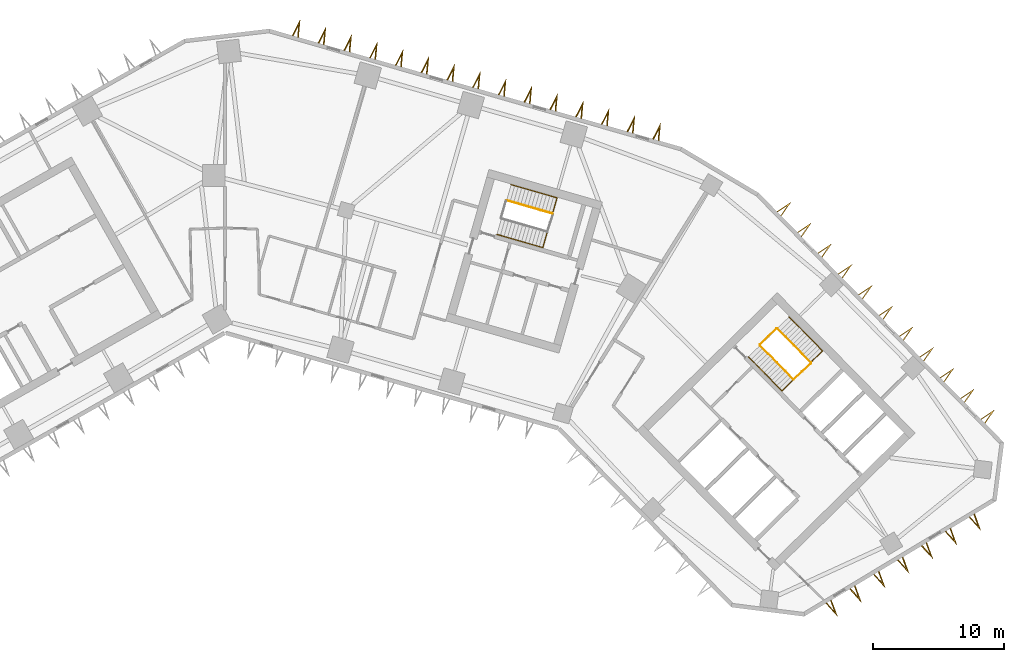
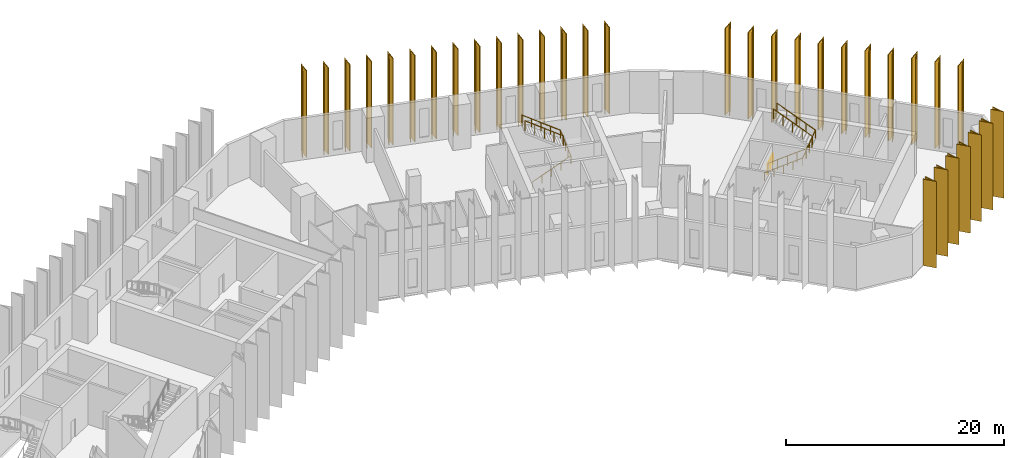
# One storey, part 11 of 11: 33 shading devices, 6 railings.
"""IFC4 building model written with IfcOpenShell, lengths in metres."""

from ifc_helpers import new_model, si_unit, direction, frame, origin, origin_2d, place, context, subcontext, project, spatial, polyline, circle, outline, extrude, material, type_object, element, save


model = new_model("IFC4")

# Units and contexts
model_context = context("Model", 3, precision=1e-05, world=origin(), true_north=direction((0.0, 1.0)))
body_context = subcontext(model_context, "Body", "Model", "MODEL_VIEW")
ifc_project = project(units=[si_unit("LENGTHUNIT", "METRE"), si_unit("AREAUNIT", "SQUARE_METRE"), si_unit("VOLUMEUNIT", "CUBIC_METRE"), si_unit("PLANEANGLEUNIT", "RADIAN"), si_unit("MASSUNIT", "GRAM", prefix="KILO")], contexts=[model_context])

# Site, building, storey
site_placement = place(None, origin())
site = spatial("IfcSite", under=ifc_project, at=site_placement, CompositionType="ELEMENT")
building_placement = place(site_placement, origin())
building = spatial("IfcBuilding", under=site, at=building_placement, Name="Binnacle Exchange Tower", CompositionType="ELEMENT")
storey_placement = place(building_placement, frame((0.0, 0.0, 46.5)))
storey = spatial("IfcBuildingStorey", under=building, at=storey_placement, Name="L09", CompositionType="ELEMENT", Elevation=46.5)

# Railings
ifc_material_1 = material(Name="Steel guard rail", Category="steel")
railing_type_1 = type_object("IfcRailingType", Name="STAIR GUARD 1100", PredefinedType="GUARDRAIL", material=ifc_material_1)
railing_1_placement = place(storey_placement, frame((40.822509765625, 47.046875, 0.178466796875)))
element("IfcRailing", 1, at=railing_1_placement, inside=storey, type_object=railing_type_1, Name="L09 STB1 stair guard 1", PredefinedType="GUARDRAIL", context=body_context, shape_type="SweptSolid", body=[
    extrude(circle(Radius=0.02392578125, at=origin_2d()), frame((0.0, 0.0, 1.076171875), z_axis=(0.590946962671, -0.60135215321, 0.537733461056), x_axis=(0.713250539553, 0.700909172309, 0.0)), (0.0, 0.0, 1.0), 4.317138671875),
    extrude(circle(Radius=0.02392578125, at=origin_2d()), frame((2.55126953125, -2.59619140625, 3.3974609375), z_axis=(0.732527851538, 0.680737061369, 0.0), x_axis=(-0.680737061369, 0.732527851538, 0.0)), (0.0, 0.0, 1.0), 1.80078125),
    extrude(circle(Radius=0.02099609375, at=origin_2d()), origin(), (0.0, 0.0, 1.0), 1.052001953125),
    extrude(circle(Radius=0.02099609375, at=origin_2d()), frame((0.6376953125, -0.64892578125, 0.580322265625)), (0.0, 0.0, 1.0), 1.052001953125),
    extrude(circle(Radius=0.02099609375, at=origin_2d()), frame((1.275634765625, -1.298095703125, 1.16064453125)), (0.0, 0.0, 1.0), 1.052001953125),
    extrude(circle(Radius=0.02099609375, at=origin_2d()), frame((1.91357421875, -1.947265625, 1.7412109375)), (0.0, 0.0, 1.0), 1.052001953125),
    extrude(circle(Radius=0.02099609375, at=origin_2d()), frame((2.55126953125, -2.59619140625, 2.321533203125)), (0.0, 0.0, 1.0), 1.052001953125),
    extrude(circle(Radius=0.02099609375, at=origin_2d()), frame((3.2109375, -1.9833984375, 2.321533203125)), (0.0, 0.0, 1.0), 1.052001953125),
    extrude(circle(Radius=0.02099609375, at=origin_2d()), frame((3.870361328125, -1.370361328125, 2.321533203125)), (0.0, 0.0, 1.0), 1.052001953125),
])
railing_2_placement = place(storey_placement, frame((44.693359375, 45.747314453125, 2.678466796875)))
element("IfcRailing", 2, at=railing_2_placement, inside=storey, type_object=railing_type_1, Name="L09 STB1 stair guard 2", PredefinedType="GUARDRAIL", context=body_context, shape_type="SweptSolid", body=[
    extrude(circle(Radius=0.02392578125, at=origin_2d()), frame((0.0, 0.0, 1.076171875), z_axis=(-0.590946962671, 0.60135215321, 0.537733461056), x_axis=(-0.713250539553, -0.700909172309, 0.0)), (0.0, 0.0, 1.0), 4.317138671875),
    extrude(circle(Radius=0.02099609375, at=origin_2d()), origin(), (0.0, 0.0, 1.0), 1.052001953125),
    extrude(circle(Radius=0.02099609375, at=origin_2d()), frame((-0.6376953125, 0.64892578125, 0.580322265625)), (0.0, 0.0, 1.0), 1.052001953125),
    extrude(circle(Radius=0.02099609375, at=origin_2d()), frame((-1.275634765625, 1.298095703125, 1.16064453125)), (0.0, 0.0, 1.0), 1.052001953125),
    extrude(circle(Radius=0.02099609375, at=origin_2d()), frame((-1.91357421875, 1.947265625, 1.7412109375)), (0.0, 0.0, 1.0), 1.052001953125),
    extrude(circle(Radius=0.02099609375, at=origin_2d()), frame((-2.55126953125, 2.59619140625, 2.321533203125)), (0.0, 0.0, 1.0), 1.052001953125),
])
railing_3_placement = place(storey_placement, frame((40.8232421875, 47.117431640625, 0.0)))
element("IfcRailing", 3, at=railing_3_placement, inside=storey, type_object=railing_type_1, Name="L09 STB1 stair guard 3", PredefinedType="GUARDRAIL", context=body_context, shape_type="SweptSolid", body=[
    extrude(circle(Radius=0.02392578125, at=origin_2d()), frame((0.0, 0.0, 1.076171875), z_axis=(0.713218950569, 0.700941316052, 0.0), x_axis=(-0.700941316052, 0.713218950569, 0.0)), (0.0, 0.0, 1.0), 1.75),
    extrude(circle(Radius=0.02099609375, at=origin_2d()), origin(), (0.0, 0.0, 1.0), 1.052001953125),
    extrude(circle(Radius=0.02099609375, at=origin_2d()), frame((0.6240234375, 0.61328125, 0.0)), (0.0, 0.0, 1.0), 1.052001953125),
    extrude(circle(Radius=0.02099609375, at=origin_2d()), frame((1.248046875, 1.2265625, 0.0)), (0.0, 0.0, 1.0), 1.052001953125),
])
railing_4_placement = place(storey_placement, frame((24.9853515625, 57.100830078125, 2.678466796875)))
element("IfcRailing", 4, at=railing_4_placement, inside=storey, type_object=railing_type_1, Name="L09 STD1 stair guard 2", PredefinedType="GUARDRAIL", context=body_context, shape_type="SweptSolid", body=[
    extrude(circle(Radius=0.02392578125, at=origin_2d()), frame((0.0, 0.0, 1.076171875), z_axis=(-0.810455892038, 0.232415135102, 0.537721537635), x_axis=(-0.275659984683, -0.961255206927, 0.0)), (0.0, 0.0, 1.0), 4.3173828125),
    extrude(circle(Radius=0.02099609375, at=origin_2d()), origin(), (0.0, 0.0, 1.0), 1.052001953125),
    extrude(circle(Radius=0.02099609375, at=origin_2d()), frame((-0.874755859375, 0.2509765625, 0.580322265625)), (0.0, 0.0, 1.0), 1.052001953125),
    extrude(circle(Radius=0.02099609375, at=origin_2d()), frame((-1.74951171875, 0.501708984375, 1.16064453125)), (0.0, 0.0, 1.0), 1.052001953125),
    extrude(circle(Radius=0.02099609375, at=origin_2d()), frame((-2.624267578125, 0.75244140625, 1.7412109375)), (0.0, 0.0, 1.0), 1.052001953125),
    extrude(circle(Radius=0.02099609375, at=origin_2d()), frame((-3.4990234375, 1.00341796875, 2.321533203125)), (0.0, 0.0, 1.0), 1.052001953125),
])
ifc_material_2 = material(Name="Steel handrail", Category="steel")
railing_type_2 = type_object("IfcRailingType", Name="STAIR HANDRAIL 900", PredefinedType="HANDRAIL", material=ifc_material_2)
railing_5_placement = place(storey_placement, frame((39.930908203125, 46.170654296875, 0.178466796875)))
element("IfcRailing", 5, at=railing_5_placement, inside=storey, type_object=railing_type_2, Name="L09 STB1 stair handrail 1", PredefinedType="HANDRAIL", context=body_context, shape_type="SweptSolid", body=[
    extrude(circle(Radius=0.02392578125, at=origin_2d()), frame((0.0, 0.0, 0.8759765625), z_axis=(0.590983762497, -0.601332057257, 0.53771549111), x_axis=(0.713217009097, 0.700943291525, 0.0)), (0.0, 0.0, 1.0), 4.3173828125),
    extrude(circle(Radius=0.02392578125, at=origin_2d()), frame((2.551513671875, -2.59619140625, 3.197265625), z_axis=(0.712654164256, 0.700316745611, 0.040993877406), x_axis=(-0.700905928746, 0.713253726978, 0.0)), (0.0, 0.0, 1.0), 4.353515625),
    extrude(circle(Radius=0.02392578125, at=origin_2d()), frame((5.654052734375, 0.45263671875, 3.3759765625), z_axis=(-0.590926866753, 0.601388251475, 0.537715174732), x_axis=(-0.713283488215, -0.700875641922, 0.0)), (0.0, 0.0, 1.0), 4.3173828125),
    extrude(circle(Radius=0.02099609375, at=origin_2d()), origin(), (0.0, 0.0, 1.0), 0.851806640625),
    extrude(circle(Radius=0.02099609375, at=origin_2d()), frame((0.637939453125, -0.64892578125, 0.580322265625)), (0.0, 0.0, 1.0), 0.851806640625),
    extrude(circle(Radius=0.02099609375, at=origin_2d()), frame((1.27587890625, -1.298095703125, 1.16064453125)), (0.0, 0.0, 1.0), 0.851806640625),
    extrude(circle(Radius=0.02099609375, at=origin_2d()), frame((1.91357421875, -1.947265625, 1.7412109375)), (0.0, 0.0, 1.0), 0.851806640625),
    extrude(circle(Radius=0.02099609375, at=origin_2d()), frame((2.551513671875, -2.59619140625, 2.321533203125)), (0.0, 0.0, 1.0), 0.851806640625),
    extrude(circle(Radius=0.02099609375, at=origin_2d()), frame((3.3271484375, -1.833984375, 2.3662109375)), (0.0, 0.0, 1.0), 0.851806640625),
    extrude(circle(Radius=0.02099609375, at=origin_2d()), frame((4.102783203125, -1.07177734375, 2.41064453125)), (0.0, 0.0, 1.0), 0.851806640625),
    extrude(circle(Radius=0.02099609375, at=origin_2d()), frame((4.87841796875, -0.3095703125, 2.455322265625)), (0.0, 0.0, 1.0), 0.851806640625),
    extrude(circle(Radius=0.02099609375, at=origin_2d()), frame((5.654052734375, 0.45263671875, 2.5)), (0.0, 0.0, 1.0), 0.851806640625),
    extrude(circle(Radius=0.02099609375, at=origin_2d()), frame((5.01611328125, 1.101806640625, 3.080322265625)), (0.0, 0.0, 1.0), 0.851806640625),
    extrude(circle(Radius=0.02099609375, at=origin_2d()), frame((4.37841796875, 1.7509765625, 3.66064453125)), (0.0, 0.0, 1.0), 0.851806640625),
    extrude(circle(Radius=0.02099609375, at=origin_2d()), frame((3.74072265625, 2.39990234375, 4.2412109375)), (0.0, 0.0, 1.0), 0.851806640625),
    extrude(circle(Radius=0.02099609375, at=origin_2d()), frame((3.102783203125, 3.049072265625, 4.821533203125)), (0.0, 0.0, 1.0), 0.851806640625),
])
railing_6_placement = place(storey_placement, frame((20.7421875, 55.5087890625, 0.178466796875)))
element("IfcRailing", 6, at=railing_6_placement, inside=storey, type_object=railing_type_2, Name="L09 STD1 stair handrail 1", PredefinedType="HANDRAIL", context=body_context, shape_type="SweptSolid", body=[
    extrude(circle(Radius=0.02392578125, at=origin_2d()), frame((0.0, 0.0, 0.8759765625), z_axis=(0.810436485383, -0.2324257871, 0.537746182368), x_axis=(0.27567775811, 0.961250109848, 0.0)), (0.0, 0.0, 1.0), 4.317138671875),
    extrude(circle(Radius=0.02392578125, at=origin_2d()), frame((3.498779296875, -1.00341796875, 3.197265625), z_axis=(0.275370676617, 0.960278056821, 0.045133624351), x_axis=(-0.961257617982, 0.275651576943, 0.0)), (0.0, 0.0, 1.0), 3.9541015625),
    extrude(circle(Radius=0.02392578125, at=origin_2d()), frame((4.587646484375, 2.793701171875, 3.3759765625), z_axis=(-0.810466542589, 0.232361639932, 0.537728604067), x_axis=(-0.275598008994, -0.961272977587, 0.0)), (0.0, 0.0, 1.0), 4.3173828125),
    extrude(circle(Radius=0.02099609375, at=origin_2d()), origin(), (0.0, 0.0, 1.0), 0.851806640625),
    extrude(circle(Radius=0.02099609375, at=origin_2d()), frame((0.874755859375, -0.2509765625, 0.580322265625)), (0.0, 0.0, 1.0), 0.851806640625),
    extrude(circle(Radius=0.02099609375, at=origin_2d()), frame((1.74951171875, -0.501708984375, 1.16064453125)), (0.0, 0.0, 1.0), 0.851806640625),
    extrude(circle(Radius=0.02099609375, at=origin_2d()), frame((2.6240234375, -0.75244140625, 1.7412109375)), (0.0, 0.0, 1.0), 0.851806640625),
    extrude(circle(Radius=0.02099609375, at=origin_2d()), frame((3.498779296875, -1.00341796875, 2.321533203125)), (0.0, 0.0, 1.0), 0.851806640625),
    extrude(circle(Radius=0.02099609375, at=origin_2d()), frame((3.77099609375, -0.05419921875, 2.3662109375)), (0.0, 0.0, 1.0), 0.851806640625),
    extrude(circle(Radius=0.02099609375, at=origin_2d()), frame((4.043212890625, 0.89501953125, 2.41064453125)), (0.0, 0.0, 1.0), 0.851806640625),
    extrude(circle(Radius=0.02099609375, at=origin_2d()), frame((4.3154296875, 1.844482421875, 2.455322265625)), (0.0, 0.0, 1.0), 0.851806640625),
    extrude(circle(Radius=0.02099609375, at=origin_2d()), frame((4.587646484375, 2.793701171875, 2.5)), (0.0, 0.0, 1.0), 0.851806640625),
    extrude(circle(Radius=0.02099609375, at=origin_2d()), frame((3.712890625, 3.04443359375, 3.080322265625)), (0.0, 0.0, 1.0), 0.851806640625),
    extrude(circle(Radius=0.02099609375, at=origin_2d()), frame((2.838134765625, 3.29541015625, 3.66064453125)), (0.0, 0.0, 1.0), 0.851806640625),
    extrude(circle(Radius=0.02099609375, at=origin_2d()), frame((1.96337890625, 3.546142578125, 4.2412109375)), (0.0, 0.0, 1.0), 0.851806640625),
    extrude(circle(Radius=0.02099609375, at=origin_2d()), frame((1.088623046875, 3.796875, 4.821533203125)), (0.0, 0.0, 1.0), 0.851806640625),
])

# Shading devices
ifc_material_3 = material(Name="Bronze aluminium cladding", Category="aluminium")
shading_device_type = type_object("IfcShadingDeviceType", Name="V FIN 1300 DEEP x 9680 HIGH", PredefinedType="USERDEFINED", material=ifc_material_3)
shading_device_1_placement = place(storey_placement, origin())
element("IfcShadingDevice", 7, at=shading_device_1_placement, inside=storey, type_object=shading_device_type, Name="V fin FN-F01-01 L09", ObjectType="FIN", PredefinedType="USERDEFINED", context=body_context, shape_type="SweptSolid", body=[
    extrude(outline(polyline([(33.107421875, 62.66259765625), (33.225341796875, 63.981201171875), (32.626708984375, 62.800537109375), (32.705078125, 62.778076171875), (33.108642578125, 63.573974609375), (33.029052734375, 62.68505859375), (33.107421875, 62.66259765625)])), origin(), (0.0, 0.0, 1.0), 9.679931640625),
])
shading_device_2_placement = place(storey_placement, origin())
element("IfcShadingDevice", 8, at=shading_device_2_placement, inside=storey, type_object=shading_device_type, Name="V fin FN-F01-02 L09", ObjectType="FIN", PredefinedType="USERDEFINED", context=body_context, shape_type="SweptSolid", body=[
    extrude(outline(polyline([(31.143310546875, 63.225830078125), (31.26123046875, 64.54443359375), (30.66259765625, 63.36376953125), (30.740966796875, 63.34130859375), (31.14453125, 64.13720703125), (31.06494140625, 63.248291015625), (31.143310546875, 63.225830078125)])), origin(), (0.0, 0.0, 1.0), 9.679931640625),
])
shading_device_3_placement = place(storey_placement, origin())
element("IfcShadingDevice", 9, at=shading_device_3_placement, inside=storey, type_object=shading_device_type, Name="V fin FN-F01-03 L09", ObjectType="FIN", PredefinedType="USERDEFINED", context=body_context, shape_type="SweptSolid", body=[
    extrude(outline(polyline([(29.17919921875, 63.7890625), (29.297119140625, 65.107666015625), (28.698486328125, 63.927001953125), (28.77685546875, 63.904541015625), (29.180419921875, 64.700439453125), (29.100830078125, 63.8115234375), (29.17919921875, 63.7890625)])), origin(), (0.0, 0.0, 1.0), 9.679931640625),
])
shading_device_4_placement = place(storey_placement, origin())
element("IfcShadingDevice", 10, at=shading_device_4_placement, inside=storey, type_object=shading_device_type, Name="V fin FN-F01-04 L09", ObjectType="FIN", PredefinedType="USERDEFINED", context=body_context, shape_type="SweptSolid", body=[
    extrude(outline(polyline([(27.215087890625, 64.352294921875), (27.3330078125, 65.6708984375), (26.734619140625, 64.489990234375), (26.812744140625, 64.4677734375), (27.21630859375, 65.263671875), (27.13671875, 64.374755859375), (27.215087890625, 64.352294921875)])), origin(), (0.0, 0.0, 1.0), 9.679931640625),
])
shading_device_5_placement = place(storey_placement, origin())
element("IfcShadingDevice", 11, at=shading_device_5_placement, inside=storey, type_object=shading_device_type, Name="V fin FN-F01-05 L09", ObjectType="FIN", PredefinedType="USERDEFINED", context=body_context, shape_type="SweptSolid", body=[
    extrude(outline(polyline([(25.2509765625, 64.91552734375), (25.368896484375, 66.23388671875), (24.7705078125, 65.05322265625), (24.8486328125, 65.031005859375), (25.252197265625, 65.826904296875), (25.172607421875, 64.93798828125), (25.2509765625, 64.91552734375)])), origin(), (0.0, 0.0, 1.0), 9.679931640625),
])
shading_device_6_placement = place(storey_placement, origin())
element("IfcShadingDevice", 12, at=shading_device_6_placement, inside=storey, type_object=shading_device_type, Name="V fin FN-F01-06 L09", ObjectType="FIN", PredefinedType="USERDEFINED", context=body_context, shape_type="SweptSolid", body=[
    extrude(outline(polyline([(23.287109375, 65.478515625), (23.405029296875, 66.797119140625), (22.806396484375, 65.616455078125), (22.884765625, 65.593994140625), (23.288330078125, 66.389892578125), (23.208740234375, 65.5009765625), (23.287109375, 65.478515625)])), origin(), (0.0, 0.0, 1.0), 9.679931640625),
])
shading_device_7_placement = place(storey_placement, origin())
element("IfcShadingDevice", 13, at=shading_device_7_placement, inside=storey, type_object=shading_device_type, Name="V fin FN-F01-07 L09", ObjectType="FIN", PredefinedType="USERDEFINED", context=body_context, shape_type="SweptSolid", body=[
    extrude(outline(polyline([(21.32275390625, 66.041748046875), (21.44091796875, 67.3603515625), (20.84228515625, 66.1796875), (20.92041015625, 66.1572265625), (21.32421875, 66.953125), (21.244384765625, 66.064208984375), (21.32275390625, 66.041748046875)])), origin(), (0.0, 0.0, 1.0), 9.679931640625),
])
shading_device_8_placement = place(storey_placement, origin())
element("IfcShadingDevice", 14, at=shading_device_8_placement, inside=storey, type_object=shading_device_type, Name="V fin FN-F01-08 L09", ObjectType="FIN", PredefinedType="USERDEFINED", context=body_context, shape_type="SweptSolid", body=[
    extrude(outline(polyline([(19.35888671875, 66.60498046875), (19.476806640625, 67.923583984375), (18.878173828125, 66.742919921875), (18.95654296875, 66.720458984375), (19.360107421875, 67.516357421875), (19.280517578125, 66.62744140625), (19.35888671875, 66.60498046875)])), origin(), (0.0, 0.0, 1.0), 9.679931640625),
])
shading_device_9_placement = place(storey_placement, origin())
element("IfcShadingDevice", 15, at=shading_device_9_placement, inside=storey, type_object=shading_device_type, Name="V fin FN-F01-09 L09", ObjectType="FIN", PredefinedType="USERDEFINED", context=body_context, shape_type="SweptSolid", body=[
    extrude(outline(polyline([(17.394775390625, 67.168212890625), (17.5126953125, 68.48681640625), (16.9140625, 67.305908203125), (16.992431640625, 67.28369140625), (17.39599609375, 68.07958984375), (17.31640625, 67.190673828125), (17.394775390625, 67.168212890625)])), origin(), (0.0, 0.0, 1.0), 9.679931640625),
])
shading_device_10_placement = place(storey_placement, origin())
element("IfcShadingDevice", 16, at=shading_device_10_placement, inside=storey, type_object=shading_device_type, Name="V fin FN-F01-10 L09", ObjectType="FIN", PredefinedType="USERDEFINED", context=body_context, shape_type="SweptSolid", body=[
    extrude(outline(polyline([(15.4306640625, 67.7314453125), (15.548583984375, 69.0498046875), (14.949951171875, 67.869140625), (15.0283203125, 67.8466796875), (15.431884765625, 68.642578125), (15.352294921875, 67.75390625), (15.4306640625, 67.7314453125)])), origin(), (0.0, 0.0, 1.0), 9.679931640625),
])
shading_device_11_placement = place(storey_placement, origin())
element("IfcShadingDevice", 17, at=shading_device_11_placement, inside=storey, type_object=shading_device_type, Name="V fin FN-F01-11 L09", ObjectType="FIN", PredefinedType="USERDEFINED", context=body_context, shape_type="SweptSolid", body=[
    extrude(outline(polyline([(13.466552734375, 68.294677734375), (13.58447265625, 69.613037109375), (12.98583984375, 68.432373046875), (13.064208984375, 68.409912109375), (13.4677734375, 69.205810546875), (13.38818359375, 68.31689453125), (13.466552734375, 68.294677734375)])), origin(), (0.0, 0.0, 1.0), 9.679931640625),
])
shading_device_12_placement = place(storey_placement, origin())
element("IfcShadingDevice", 18, at=shading_device_12_placement, inside=storey, type_object=shading_device_type, Name="V fin FN-F01-12 L09", ObjectType="FIN", PredefinedType="USERDEFINED", context=body_context, shape_type="SweptSolid", body=[
    extrude(outline(polyline([(11.50244140625, 68.85791015625), (11.620361328125, 70.17626953125), (11.021728515625, 68.99560546875), (11.10009765625, 68.97314453125), (11.503662109375, 69.76904296875), (11.424072265625, 68.880126953125), (11.50244140625, 68.85791015625)])), origin(), (0.0, 0.0, 1.0), 9.679931640625),
])
shading_device_13_placement = place(storey_placement, origin())
element("IfcShadingDevice", 19, at=shading_device_13_placement, inside=storey, type_object=shading_device_type, Name="V fin FN-F01-13 L09", ObjectType="FIN", PredefinedType="USERDEFINED", context=body_context, shape_type="SweptSolid", body=[
    extrude(outline(polyline([(9.538330078125, 69.4208984375), (9.65625, 70.739501953125), (9.0576171875, 69.558837890625), (9.135986328125, 69.536376953125), (9.53955078125, 70.332275390625), (9.4599609375, 69.443359375), (9.538330078125, 69.4208984375)])), origin(), (0.0, 0.0, 1.0), 9.679931640625),
])
shading_device_14_placement = place(storey_placement, origin())
element("IfcShadingDevice", 20, at=shading_device_14_placement, inside=storey, type_object=shading_device_type, Name="V fin FN-F01-14 L09", ObjectType="FIN", PredefinedType="USERDEFINED", context=body_context, shape_type="SweptSolid", body=[
    extrude(outline(polyline([(7.57421875, 69.984130859375), (7.6923828125, 71.302734375), (7.09375, 70.1220703125), (7.172119140625, 70.099609375), (7.57568359375, 70.8955078125), (7.49609375, 70.006591796875), (7.57421875, 69.984130859375)])), origin(), (0.0, 0.0, 1.0), 9.679931640625),
])
shading_device_15_placement = place(storey_placement, origin())
element("IfcShadingDevice", 21, at=shading_device_15_placement, inside=storey, type_object=shading_device_type, Name="V fin FN-F01-15 L09", ObjectType="FIN", PredefinedType="USERDEFINED", context=body_context, shape_type="SweptSolid", body=[
    extrude(outline(polyline([(5.610107421875, 70.54736328125), (5.72802734375, 71.865966796875), (5.12939453125, 70.685302734375), (5.207763671875, 70.662841796875), (5.611328125, 71.458740234375), (5.53173828125, 70.56982421875), (5.610107421875, 70.54736328125)])), origin(), (0.0, 0.0, 1.0), 9.679931640625),
])
shading_device_16_placement = place(storey_placement, origin())
element("IfcShadingDevice", 22, at=shading_device_16_placement, inside=storey, type_object=shading_device_type, Name="V fin FN-F11-01 L09", ObjectType="FIN", PredefinedType="USERDEFINED", context=body_context, shape_type="SweptSolid", body=[
    extrude(outline(polyline([(45.82861328125, 27.361572265625), (46.71240234375, 26.376220703125), (46.257080078125, 27.619140625), (46.187255859375, 27.5771484375), (46.494140625, 26.7392578125), (45.898193359375, 27.403564453125), (45.82861328125, 27.361572265625)])), origin(), (0.0, 0.0, 1.0), 9.679931640625),
])
shading_device_17_placement = place(storey_placement, origin())
element("IfcShadingDevice", 23, at=shading_device_17_placement, inside=storey, type_object=shading_device_type, Name="V fin FN-F11-02 L09", ObjectType="FIN", PredefinedType="USERDEFINED", context=body_context, shape_type="SweptSolid", body=[
    extrude(outline(polyline([(47.64990234375, 28.4560546875), (48.53369140625, 27.470458984375), (48.07861328125, 28.713623046875), (48.0087890625, 28.671630859375), (48.315673828125, 27.83349609375), (47.7197265625, 28.498046875), (47.64990234375, 28.4560546875)])), origin(), (0.0, 0.0, 1.0), 9.679931640625),
])
shading_device_18_placement = place(storey_placement, origin())
element("IfcShadingDevice", 24, at=shading_device_18_placement, inside=storey, type_object=shading_device_type, Name="V fin FN-F11-03 L09", ObjectType="FIN", PredefinedType="USERDEFINED", context=body_context, shape_type="SweptSolid", body=[
    extrude(outline(polyline([(49.471435546875, 29.550537109375), (50.355224609375, 28.56494140625), (49.900146484375, 29.80810546875), (49.830322265625, 29.76611328125), (50.13720703125, 28.927978515625), (49.541259765625, 29.592529296875), (49.471435546875, 29.550537109375)])), origin(), (0.0, 0.0, 1.0), 9.679931640625),
])
shading_device_19_placement = place(storey_placement, origin())
element("IfcShadingDevice", 25, at=shading_device_19_placement, inside=storey, type_object=shading_device_type, Name="V fin FN-F11-04 L09", ObjectType="FIN", PredefinedType="USERDEFINED", context=body_context, shape_type="SweptSolid", body=[
    extrude(outline(polyline([(51.29296875, 30.64501953125), (52.1767578125, 29.659423828125), (51.7216796875, 30.902587890625), (51.65185546875, 30.860595703125), (51.958740234375, 30.0224609375), (51.36279296875, 30.68701171875), (51.29296875, 30.64501953125)])), origin(), (0.0, 0.0, 1.0), 9.679931640625),
])
shading_device_20_placement = place(storey_placement, origin())
element("IfcShadingDevice", 26, at=shading_device_20_placement, inside=storey, type_object=shading_device_type, Name="V fin FN-F11-05 L09", ObjectType="FIN", PredefinedType="USERDEFINED", context=body_context, shape_type="SweptSolid", body=[
    extrude(outline(polyline([(53.114501953125, 31.739501953125), (53.998291015625, 30.75390625), (53.543212890625, 31.9970703125), (53.473388671875, 31.955078125), (53.7802734375, 31.116943359375), (53.184326171875, 31.781494140625), (53.114501953125, 31.739501953125)])), origin(), (0.0, 0.0, 1.0), 9.679931640625),
])
shading_device_21_placement = place(storey_placement, origin())
element("IfcShadingDevice", 27, at=shading_device_21_placement, inside=storey, type_object=shading_device_type, Name="V fin FN-F11-06 L09", ObjectType="FIN", PredefinedType="USERDEFINED", context=body_context, shape_type="SweptSolid", body=[
    extrude(outline(polyline([(54.935791015625, 32.833984375), (55.819580078125, 31.848388671875), (55.364501953125, 33.091552734375), (55.294677734375, 33.049560546875), (55.6015625, 32.21142578125), (55.005615234375, 32.8759765625), (54.935791015625, 32.833984375)])), origin(), (0.0, 0.0, 1.0), 9.679931640625),
])
shading_device_22_placement = place(storey_placement, origin())
element("IfcShadingDevice", 28, at=shading_device_22_placement, inside=storey, type_object=shading_device_type, Name="V fin FN-F11-07 L09", ObjectType="FIN", PredefinedType="USERDEFINED", context=body_context, shape_type="SweptSolid", body=[
    extrude(outline(polyline([(56.75732421875, 33.92822265625), (57.64111328125, 32.94287109375), (57.18603515625, 34.185791015625), (57.1162109375, 34.143798828125), (57.423095703125, 33.305908203125), (56.8271484375, 33.97021484375), (56.75732421875, 33.92822265625)])), origin(), (0.0, 0.0, 1.0), 9.679931640625),
])
shading_device_23_placement = place(storey_placement, origin())
element("IfcShadingDevice", 29, at=shading_device_23_placement, inside=storey, type_object=shading_device_type, Name="V fin FN-F13-01 L09", ObjectType="FIN", PredefinedType="USERDEFINED", context=body_context, shape_type="SweptSolid", body=[
    extrude(outline(polyline([(57.990478515625, 41.087890625), (58.742431640625, 42.177490234375), (57.64013671875, 41.444580078125), (57.697265625, 41.386474609375), (58.4404296875, 41.880615234375), (57.933349609375, 41.14599609375), (57.990478515625, 41.087890625)])), origin(), (0.0, 0.0, 1.0), 9.679931640625),
])
shading_device_24_placement = place(storey_placement, origin())
element("IfcShadingDevice", 30, at=shading_device_24_placement, inside=storey, type_object=shading_device_type, Name="V fin FN-F13-02 L09", ObjectType="FIN", PredefinedType="USERDEFINED", context=body_context, shape_type="SweptSolid", body=[
    extrude(outline(polyline([(56.435791015625, 42.669921875), (57.18798828125, 43.759521484375), (56.08544921875, 43.026611328125), (56.142578125, 42.968505859375), (56.8857421875, 43.46240234375), (56.37890625, 42.72802734375), (56.435791015625, 42.669921875)])), origin(), (0.0, 0.0, 1.0), 9.679931640625),
])
shading_device_25_placement = place(storey_placement, origin())
element("IfcShadingDevice", 31, at=shading_device_25_placement, inside=storey, type_object=shading_device_type, Name="V fin FN-F13-03 L09", ObjectType="FIN", PredefinedType="USERDEFINED", context=body_context, shape_type="SweptSolid", body=[
    extrude(outline(polyline([(54.881103515625, 44.251953125), (55.63330078125, 45.34130859375), (54.53076171875, 44.6083984375), (54.587890625, 44.55029296875), (55.3310546875, 45.04443359375), (54.82421875, 44.31005859375), (54.881103515625, 44.251953125)])), origin(), (0.0, 0.0, 1.0), 9.679931640625),
])
shading_device_26_placement = place(storey_placement, origin())
element("IfcShadingDevice", 32, at=shading_device_26_placement, inside=storey, type_object=shading_device_type, Name="V fin FN-F13-04 L09", ObjectType="FIN", PredefinedType="USERDEFINED", context=body_context, shape_type="SweptSolid", body=[
    extrude(outline(polyline([(53.32666015625, 45.833984375), (54.07861328125, 46.92333984375), (52.976318359375, 46.1904296875), (53.033203125, 46.13232421875), (53.776611328125, 46.62646484375), (53.26953125, 45.89208984375), (53.32666015625, 45.833984375)])), origin(), (0.0, 0.0, 1.0), 9.679931640625),
])
shading_device_27_placement = place(storey_placement, origin())
element("IfcShadingDevice", 33, at=shading_device_27_placement, inside=storey, type_object=shading_device_type, Name="V fin FN-F13-05 L09", ObjectType="FIN", PredefinedType="USERDEFINED", context=body_context, shape_type="SweptSolid", body=[
    extrude(outline(polyline([(51.77197265625, 47.416015625), (52.52392578125, 48.50537109375), (51.421630859375, 47.7724609375), (51.478759765625, 47.71435546875), (52.221923828125, 48.20849609375), (51.71484375, 47.47412109375), (51.77197265625, 47.416015625)])), origin(), (0.0, 0.0, 1.0), 9.679931640625),
])
shading_device_28_placement = place(storey_placement, origin())
element("IfcShadingDevice", 34, at=shading_device_28_placement, inside=storey, type_object=shading_device_type, Name="V fin FN-F13-06 L09", ObjectType="FIN", PredefinedType="USERDEFINED", context=body_context, shape_type="SweptSolid", body=[
    extrude(outline(polyline([(50.21728515625, 48.997802734375), (50.969482421875, 50.08740234375), (49.866943359375, 49.3544921875), (49.924072265625, 49.29638671875), (50.667236328125, 49.79052734375), (50.160400390625, 49.055908203125), (50.21728515625, 48.997802734375)])), origin(), (0.0, 0.0, 1.0), 9.679931640625),
])
shading_device_29_placement = place(storey_placement, origin())
element("IfcShadingDevice", 35, at=shading_device_29_placement, inside=storey, type_object=shading_device_type, Name="V fin FN-F13-07 L09", ObjectType="FIN", PredefinedType="USERDEFINED", context=body_context, shape_type="SweptSolid", body=[
    extrude(outline(polyline([(48.66259765625, 50.579833984375), (49.414794921875, 51.66943359375), (48.312255859375, 50.9365234375), (48.369384765625, 50.87841796875), (49.112548828125, 51.37255859375), (48.605712890625, 50.637939453125), (48.66259765625, 50.579833984375)])), origin(), (0.0, 0.0, 1.0), 9.679931640625),
])
shading_device_30_placement = place(storey_placement, origin())
element("IfcShadingDevice", 36, at=shading_device_30_placement, inside=storey, type_object=shading_device_type, Name="V fin FN-F13-08 L09", ObjectType="FIN", PredefinedType="USERDEFINED", context=body_context, shape_type="SweptSolid", body=[
    extrude(outline(polyline([(47.108154296875, 52.161865234375), (47.860107421875, 53.25146484375), (46.7578125, 52.5185546875), (46.814697265625, 52.46044921875), (47.55810546875, 52.95458984375), (47.051025390625, 52.219970703125), (47.108154296875, 52.161865234375)])), origin(), (0.0, 0.0, 1.0), 9.679931640625),
])
shading_device_31_placement = place(storey_placement, origin())
element("IfcShadingDevice", 37, at=shading_device_31_placement, inside=storey, type_object=shading_device_type, Name="V fin FN-F13-09 L09", ObjectType="FIN", PredefinedType="USERDEFINED", context=body_context, shape_type="SweptSolid", body=[
    extrude(outline(polyline([(45.553466796875, 53.743896484375), (46.305419921875, 54.83349609375), (45.203125, 54.1005859375), (45.26025390625, 54.04248046875), (46.00341796875, 54.53662109375), (45.496337890625, 53.802001953125), (45.553466796875, 53.743896484375)])), origin(), (0.0, 0.0, 1.0), 9.679931640625),
])
shading_device_32_placement = place(storey_placement, origin())
element("IfcShadingDevice", 38, at=shading_device_32_placement, inside=storey, type_object=shading_device_type, Name="V fin FN-F13-10 L09", ObjectType="FIN", PredefinedType="USERDEFINED", context=body_context, shape_type="SweptSolid", body=[
    extrude(outline(polyline([(43.998779296875, 55.325927734375), (44.7509765625, 56.415283203125), (43.6484375, 55.6826171875), (43.70556640625, 55.62451171875), (44.44873046875, 56.118408203125), (43.94189453125, 55.384033203125), (43.998779296875, 55.325927734375)])), origin(), (0.0, 0.0, 1.0), 9.679931640625),
])
shading_device_33_placement = place(storey_placement, origin())
element("IfcShadingDevice", 39, at=shading_device_33_placement, inside=storey, type_object=shading_device_type, Name="V fin FN-F13-11 L09", ObjectType="FIN", PredefinedType="USERDEFINED", context=body_context, shape_type="SweptSolid", body=[
    extrude(outline(polyline([(42.444091796875, 56.907958984375), (43.1962890625, 57.997314453125), (42.09375, 57.264404296875), (42.15087890625, 57.206298828125), (42.89404296875, 57.700439453125), (42.38720703125, 56.966064453125), (42.444091796875, 56.907958984375)])), origin(), (0.0, 0.0, 1.0), 9.679931640625),
])

save(model, "model.ifc")
